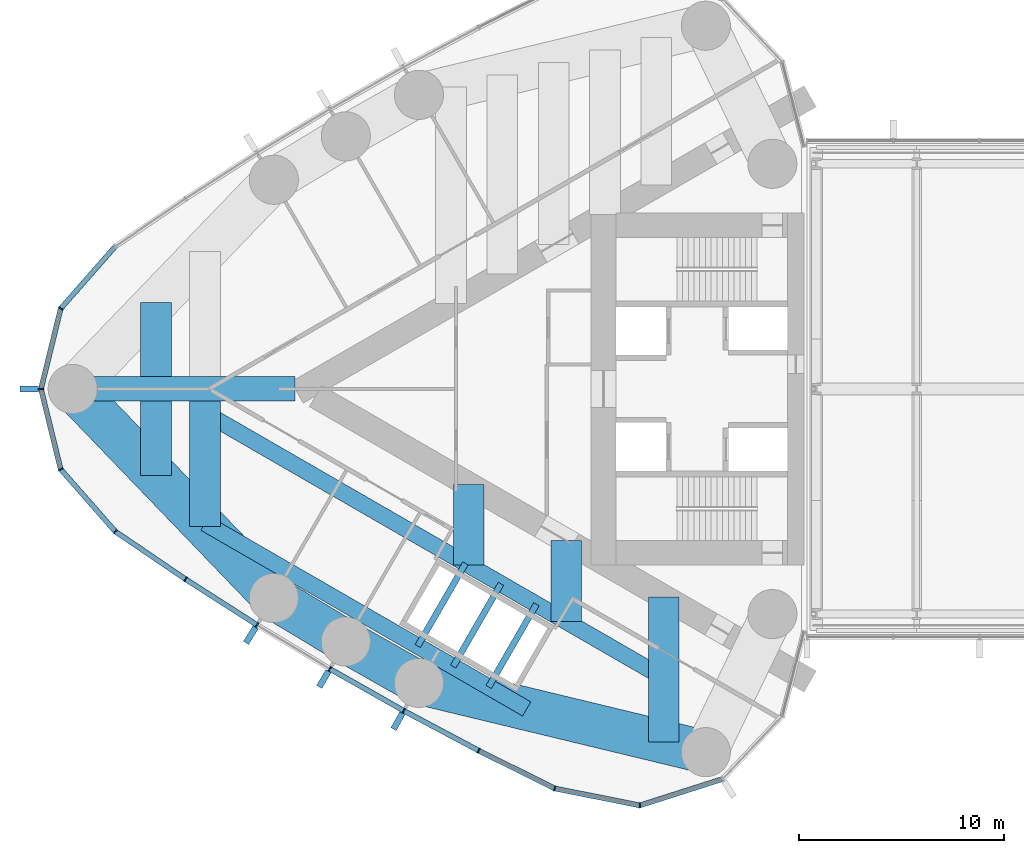
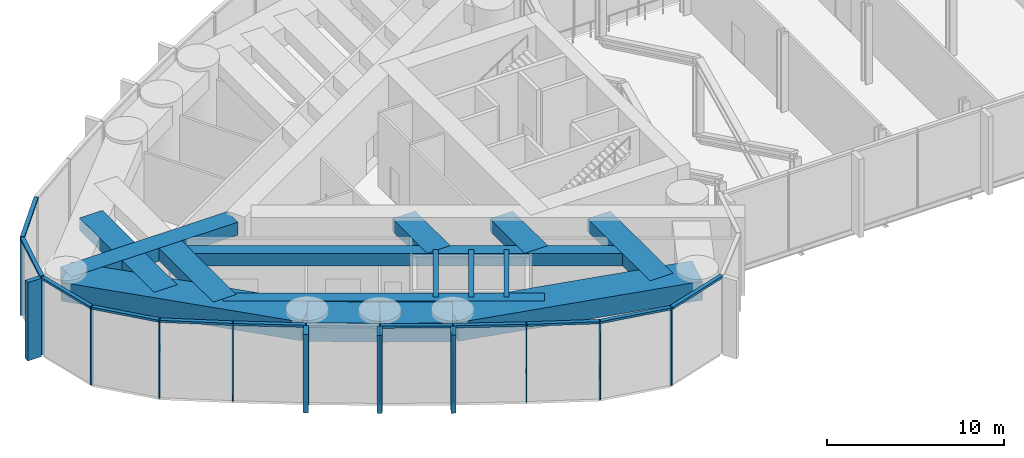
# One storey, part 3 of 21: 26 members, 16 beams, 1 element without a shape of its own.
"""IFC4 building model written with IfcOpenShell, lengths in metres."""

from ifc_helpers import new_model, si_unit, direction, frame, origin, origin_2d, place, context, subcontext, project, spatial, rectangle, hollow_rectangle, i_section, extrude, material, material_profile, profile_set, type_object, element, aggregate, save


model = new_model("IFC4")

# Units and contexts
model_context = context("Model", 3, precision=1e-05, world=origin(), true_north=direction((0.0, 1.0)))
body_context = subcontext(model_context, "Body", "Model", "MODEL_VIEW")
ifc_project = project(units=[si_unit("LENGTHUNIT", "METRE"), si_unit("AREAUNIT", "SQUARE_METRE"), si_unit("VOLUMEUNIT", "CUBIC_METRE"), si_unit("PLANEANGLEUNIT", "RADIAN"), si_unit("MASSUNIT", "GRAM", prefix="KILO")], contexts=[model_context])

# Site, building, storey
site_placement = place(None, origin())
site = spatial("IfcSite", under=ifc_project, at=site_placement, CompositionType="ELEMENT")
building_placement = place(site_placement, origin())
building = spatial("IfcBuilding", under=site, at=building_placement, Name="Lancet Gate Hotel", CompositionType="ELEMENT")
storey_placement = place(building_placement, frame((0.0, 0.0, 251.89990234375)))
storey = spatial("IfcBuildingStorey", under=building, at=storey_placement, Name="L67", CompositionType="ELEMENT", Elevation=251.89990234375)

# Curtain wall, members
ifc_material_1 = material(Name="Aluminium curtain wall", Category="aluminium")
curtain_wall_type = type_object("IfcCurtainWallType", Name="Sky deck full-height glazing", PredefinedType="USERDEFINED", material=ifc_material_1)
curtain_wall_placement = place(storey_placement, origin())
curtain_wall = element("IfcCurtainWall", 1, at=curtain_wall_placement, inside=storey, type_object=curtain_wall_type, Name="T1 L67 curtain wall 1", ObjectType="UNITISED CURTAIN WALL", PredefinedType="USERDEFINED")
ifc_material_2 = material(Name="Aluminium mullion", Category="aluminium")
ifc_material_profile_1 = material_profile(ifc_material_2, rectangle(XDim=0.06494140625, YDim=0.25, at=origin_2d()), Name="MULLION 65x250")
ifc_profile_set_1 = profile_set([ifc_material_profile_1], Name="Aluminium mullion")
member_type_1 = type_object("IfcMemberType", Name="Aluminium mullion 65x250", PredefinedType="MULLION", material=ifc_profile_set_1)
member_1_placement = place(storey_placement, frame((-63.822021484375, 3.928466796875, 0.0), z_axis=(0.0, 0.0, 1.0), x_axis=(-0.46217799743, -0.886787177789, 0.0)))
member_1 = element("IfcMember", 2, at=member_1_placement, type_object=member_type_1, Name="T1 L67 curtain wall 1 mullion 12", PredefinedType="MULLION", context=body_context, shape_type="SweptSolid", body=[
    extrude(rectangle(XDim=0.06494140625, YDim=0.25, at=origin_2d()), origin(), (0.0, 0.0, 1.0), 5.400146484375),
])
member_2_placement = place(storey_placement, frame((-64.7841796875, 0.0, 0.0), z_axis=(0.0, 0.0, 1.0), x_axis=(0.0, -1.0, 0.0)))
member_2 = element("IfcMember", 3, at=member_2_placement, type_object=member_type_1, Name="T1 L67 curtain wall 1 mullion 13", PredefinedType="MULLION", context=body_context, shape_type="SweptSolid", body=[
    extrude(rectangle(XDim=0.06494140625, YDim=0.25, at=origin_2d()), origin(), (0.0, 0.0, 1.0), 5.400146484375),
])
member_3_placement = place(storey_placement, frame((-63.822021484375, -3.928466796875, 0.0), z_axis=(0.0, 0.0, 1.0), x_axis=(0.46217799743, -0.886787177789, 0.0)))
member_3 = element("IfcMember", 4, at=member_3_placement, type_object=member_type_1, Name="T1 L67 curtain wall 1 mullion 14", PredefinedType="MULLION", context=body_context, shape_type="SweptSolid", body=[
    extrude(rectangle(XDim=0.06494140625, YDim=0.25, at=origin_2d()), origin(), (0.0, 0.0, 1.0), 5.400146484375),
])
member_4_placement = place(storey_placement, frame((-61.15283203125, -6.967529296875, 0.0), z_axis=(0.0, 0.0, 1.0), x_axis=(0.750715604757, -0.660625522345, 0.0)))
member_4 = element("IfcMember", 5, at=member_4_placement, type_object=member_type_1, Name="T1 L67 curtain wall 1 mullion 15", PredefinedType="MULLION", context=body_context, shape_type="SweptSolid", body=[
    extrude(rectangle(XDim=0.06494140625, YDim=0.25, at=origin_2d()), origin(), (0.0, 0.0, 1.0), 5.400146484375),
])
member_5_placement = place(storey_placement, frame((-57.72021484375, -9.298095703125, 0.0), z_axis=(0.0, 0.0, 1.0), x_axis=(0.834827178542, -0.550512108829, 0.0)))
member_5 = element("IfcMember", 6, at=member_5_placement, type_object=member_type_1, Name="T1 L67 curtain wall 1 mullion 16", PredefinedType="MULLION", context=body_context, shape_type="SweptSolid", body=[
    extrude(rectangle(XDim=0.06494140625, YDim=0.25, at=origin_2d()), origin(), (0.0, 0.0, 1.0), 5.400146484375),
])
member_6_placement = place(storey_placement, frame((-54.225830078125, -11.535400390625, 0.0), z_axis=(0.0, 0.0, 1.0), x_axis=(0.849342388216, -0.527842313176, 0.0)))
member_6 = element("IfcMember", 7, at=member_6_placement, type_object=member_type_1, Name="T1 L67 curtain wall 1 mullion 17", PredefinedType="MULLION", context=body_context, shape_type="SweptSolid", body=[
    extrude(rectangle(XDim=0.06494140625, YDim=0.25, at=origin_2d()), origin(), (0.0, 0.0, 1.0), 5.400146484375),
])
member_7_placement = place(storey_placement, frame((-50.67236328125, -13.677978515625, 0.0), z_axis=(0.0, 0.0, 1.0), x_axis=(0.863242155108, -0.504790037189, 0.0)))
member_7 = element("IfcMember", 8, at=member_7_placement, type_object=member_type_1, Name="T1 L67 curtain wall 1 mullion 18", PredefinedType="MULLION", context=body_context, shape_type="SweptSolid", body=[
    extrude(rectangle(XDim=0.06494140625, YDim=0.25, at=origin_2d()), origin(), (0.0, 0.0, 1.0), 5.400146484375),
])
member_8_placement = place(storey_placement, frame((-47.062744140625, -15.72412109375, 0.0), z_axis=(0.0, 0.0, 1.0), x_axis=(0.876516407283, -0.481371984815, 0.0)))
member_8 = element("IfcMember", 9, at=member_8_placement, type_object=member_type_1, Name="T1 L67 curtain wall 1 mullion 19", PredefinedType="MULLION", context=body_context, shape_type="SweptSolid", body=[
    extrude(rectangle(XDim=0.06494140625, YDim=0.25, at=origin_2d()), origin(), (0.0, 0.0, 1.0), 5.400146484375),
])
member_9_placement = place(storey_placement, frame((-43.3994140625, -17.67236328125, 0.0), z_axis=(0.0, 0.0, 1.0), x_axis=(0.889155526065, -0.457605125046, 0.0)))
member_9 = element("IfcMember", 10, at=member_9_placement, type_object=member_type_1, Name="T1 L67 curtain wall 1 mullion 20", PredefinedType="MULLION", context=body_context, shape_type="SweptSolid", body=[
    extrude(rectangle(XDim=0.06494140625, YDim=0.25, at=origin_2d()), origin(), (0.0, 0.0, 1.0), 5.400146484375),
])
member_10_placement = place(storey_placement, frame((-39.684814453125, -19.521240234375, 0.0), z_axis=(0.0, 0.0, 1.0), x_axis=(0.946887706423, -0.321564412561, 0.0)))
member_10 = element("IfcMember", 11, at=member_10_placement, type_object=member_type_1, Name="T1 L67 curtain wall 1 mullion 21", PredefinedType="MULLION", context=body_context, shape_type="SweptSolid", body=[
    extrude(rectangle(XDim=0.06494140625, YDim=0.25, at=origin_2d()), origin(), (0.0, 0.0, 1.0), 5.400146484375),
])
member_11_placement = place(storey_placement, frame((-35.520751953125, -20.347900390625, 0.0), z_axis=(0.0, 0.0, 1.0), x_axis=(0.998409168318, 0.056383797491, 0.0)))
member_11 = element("IfcMember", 12, at=member_11_placement, type_object=member_type_1, Name="T1 L67 curtain wall 1 mullion 22", PredefinedType="MULLION", context=body_context, shape_type="SweptSolid", body=[
    extrude(rectangle(XDim=0.06494140625, YDim=0.25, at=origin_2d()), origin(), (0.0, 0.0, 1.0), 5.400146484375),
])
ifc_material_3 = material(Name="Aluminium transom", Category="aluminium")
ifc_material_profile_2 = material_profile(ifc_material_3, rectangle(XDim=0.25, YDim=0.14990234375, at=origin_2d()), Name="TRANSOM 250x150")
ifc_profile_set_2 = profile_set([ifc_material_profile_2], Name="Aluminium transom")
member_type_2 = type_object("IfcMemberType", Name="Aluminium transom 250x150", PredefinedType="USERDEFINED", material=ifc_profile_set_2)
member_12_placement = place(storey_placement, frame((-61.17431640625, 6.943115234375, 5.3251953125), z_axis=(-0.659893258593, -0.751359359603, 0.0), x_axis=(0.751359359603, -0.659893258593, 0.0)))
member_12 = element("IfcMember", 13, at=member_12_placement, type_object=member_type_2, Name="T1 L67 curtain wall 1 transom 11", ObjectType="TRANSOM", PredefinedType="USERDEFINED", context=body_context, shape_type="SweptSolid", body=[
    extrude(rectangle(XDim=0.25, YDim=0.14990234375, at=origin_2d()), origin(), (0.0, 0.0, 1.0), 3.979736328125),
])
member_13_placement = place(storey_placement, frame((-63.829833984375, 3.89697265625, 5.3251953125), z_axis=(-0.237899438372, -0.971289790548, 0.0), x_axis=(0.971289790548, -0.237899438372, 0.0)))
member_13 = element("IfcMember", 14, at=member_13_placement, type_object=member_type_2, Name="T1 L67 curtain wall 1 transom 12", ObjectType="TRANSOM", PredefinedType="USERDEFINED", context=body_context, shape_type="SweptSolid", body=[
    extrude(rectangle(XDim=0.25, YDim=0.14990234375, at=origin_2d()), origin(), (0.0, 0.0, 1.0), 3.979736328125),
])
member_14_placement = place(storey_placement, frame((-64.776611328125, -0.031494140625, 5.3251953125), z_axis=(0.237899438372, -0.971289790548, 0.0), x_axis=(0.971289790548, 0.237899438372, 0.0)))
member_14 = element("IfcMember", 15, at=member_14_placement, type_object=member_type_2, Name="T1 L67 curtain wall 1 transom 13", ObjectType="TRANSOM", PredefinedType="USERDEFINED", context=body_context, shape_type="SweptSolid", body=[
    extrude(rectangle(XDim=0.25, YDim=0.14990234375, at=origin_2d()), origin(), (0.0, 0.0, 1.0), 3.979736328125),
])
member_15_placement = place(storey_placement, frame((-63.800537109375, -3.952880859375, 5.3251953125), z_axis=(0.659893258593, -0.751359359603, 0.0), x_axis=(0.751359359603, 0.659893258593, 0.0)))
member_15 = element("IfcMember", 16, at=member_15_placement, type_object=member_type_2, Name="T1 L67 curtain wall 1 transom 14", ObjectType="TRANSOM", PredefinedType="USERDEFINED", context=body_context, shape_type="SweptSolid", body=[
    extrude(rectangle(XDim=0.25, YDim=0.14990234375, at=origin_2d()), origin(), (0.0, 0.0, 1.0), 3.979736328125),
])
member_16_placement = place(storey_placement, frame((-61.1259765625, -6.98583984375, 5.3251953125), z_axis=(0.827348780456, -0.561688521761, 0.0), x_axis=(0.561688521761, 0.827348780456, 0.0)))
member_16 = element("IfcMember", 17, at=member_16_placement, type_object=member_type_2, Name="T1 L67 curtain wall 1 transom 15", ObjectType="TRANSOM", PredefinedType="USERDEFINED", context=body_context, shape_type="SweptSolid", body=[
    extrude(rectangle(XDim=0.25, YDim=0.14990234375, at=origin_2d()), origin(), (0.0, 0.0, 1.0), 4.083984375),
])
member_17_placement = place(storey_placement, frame((-57.692626953125, -9.315673828125, 5.3251953125), z_axis=(0.842144358733, -0.539252147937, 0.0), x_axis=(0.539252147937, 0.842144358733, 0.0)))
member_17 = element("IfcMember", 18, at=member_17_placement, type_object=member_type_2, Name="T1 L67 curtain wall 1 transom 16", ObjectType="TRANSOM", PredefinedType="USERDEFINED", context=body_context, shape_type="SweptSolid", body=[
    extrude(rectangle(XDim=0.25, YDim=0.14990234375, at=origin_2d()), origin(), (0.0, 0.0, 1.0), 4.084228515625),
])
member_18_placement = place(storey_placement, frame((-50.644287109375, -13.694091796875, 5.3251953125), z_axis=(0.869977740049, -0.493090997503, 0.0), x_axis=(0.493090997503, 0.869977740049, 0.0)))
member_18 = element("IfcMember", 19, at=member_18_placement, type_object=member_type_2, Name="T1 L67 curtain wall 1 transom 18", ObjectType="TRANSOM", PredefinedType="USERDEFINED", context=body_context, shape_type="SweptSolid", body=[
    extrude(rectangle(XDim=0.25, YDim=0.14990234375, at=origin_2d()), origin(), (0.0, 0.0, 1.0), 4.084228515625),
])
member_19_placement = place(storey_placement, frame((-47.0341796875, -15.739501953125, 5.3251953125), z_axis=(0.882944619844, -0.469477154171, 0.0), x_axis=(0.469477154171, 0.882944619844, 0.0)))
member_19 = element("IfcMember", 20, at=member_19_placement, type_object=member_type_2, Name="T1 L67 curtain wall 1 transom 19", ObjectType="TRANSOM", PredefinedType="USERDEFINED", context=body_context, shape_type="SweptSolid", body=[
    extrude(rectangle(XDim=0.25, YDim=0.14990234375, at=origin_2d()), origin(), (0.0, 0.0, 1.0), 4.084228515625),
])
member_20_placement = place(storey_placement, frame((-43.370361328125, -17.686767578125, 5.3251953125), z_axis=(0.895226720479, -0.445610950202, 0.0), x_axis=(0.445610950202, 0.895226720479, 0.0)))
member_20 = element("IfcMember", 21, at=member_20_placement, type_object=member_type_2, Name="T1 L67 curtain wall 1 transom 20", ObjectType="TRANSOM", PredefinedType="USERDEFINED", context=body_context, shape_type="SweptSolid", body=[
    extrude(rectangle(XDim=0.25, YDim=0.14990234375, at=origin_2d()), origin(), (0.0, 0.0, 1.0), 4.08447265625),
])
member_21_placement = place(storey_placement, frame((-39.65283203125, -19.527587890625, 5.3251953125), z_axis=(0.980858234867, -0.194723196085, 0.0), x_axis=(0.194723196085, 0.980858234867, 0.0)))
member_21 = element("IfcMember", 22, at=member_21_placement, type_object=member_type_2, Name="T1 L67 curtain wall 1 transom 21", ObjectType="TRANSOM", PredefinedType="USERDEFINED", context=body_context, shape_type="SweptSolid", body=[
    extrude(rectangle(XDim=0.25, YDim=0.14990234375, at=origin_2d()), origin(), (0.0, 0.0, 1.0), 4.18017578125),
])
member_22_placement = place(storey_placement, frame((-35.48974609375, -20.338134765625, 5.3251953125), z_axis=(0.952697713775, 0.303919506068, 0.0), x_axis=(-0.303919506068, 0.952697713775, 0.0)))
member_22 = element("IfcMember", 23, at=member_22_placement, type_object=member_type_2, Name="T1 L67 curtain wall 1 transom 22", ObjectType="TRANSOM", PredefinedType="USERDEFINED", context=body_context, shape_type="SweptSolid", body=[
    extrude(rectangle(XDim=0.25, YDim=0.14990234375, at=origin_2d()), origin(), (0.0, 0.0, 1.0), 4.180419921875),
])

# Beams
ifc_material_4 = material(Name="Concrete C50/60", Category="concrete")
ifc_material_profile_3 = material_profile(ifc_material_4, rectangle(XDim=2.10009765625, YDim=1.300048828125, at=origin_2d()), Name="RC 2100x1300")
ifc_profile_set_3 = profile_set([ifc_material_profile_3], Name="Concrete C50/60")
beam_type_1 = type_object("IfcBeamType", Name="Edge beam RC 2100x1300", PredefinedType="SPANDREL", material=ifc_profile_set_3)
beam_1_placement = place(storey_placement, frame((-63.234375, 0.0, 4.5), z_axis=(0.693134527053, -0.720808245934, 0.0), x_axis=(0.720808245934, 0.693134527053, 0.0)))
element("IfcBeam", 24, at=beam_1_placement, inside=storey, type_object=beam_type_1, Name="T1 edge beam EB1 L67", PredefinedType="SPANDREL", context=body_context, shape_type="SweptSolid", body=[
    extrude(rectangle(XDim=2.10009765625, YDim=1.300048828125, at=origin_2d()), origin(), (0.0, 0.0, 1.0), 14.17724609375),
])
for number, where, z_axis, x_axis, name in (
    (25, (-53.40771484375, -10.218994140625, 4.5), (0.856358061538, -0.516382484636, 0.0), (0.516382484636, 0.856358061538, 0.0), "T1 edge beam EB1 L67"),
    (26, (-49.89013671875, -12.340087890625, 4.5), (0.869978841992, -0.493089053301, 0.0), (0.493089053301, 0.869978841992, 0.0), "T1 edge beam EB1 L67"),
):
    element("IfcBeam", number, at=place(storey_placement, frame(where, z_axis=z_axis, x_axis=x_axis)), inside=storey, type_object=beam_type_1, Name=name, PredefinedType="SPANDREL", context=body_context, shape_type="SweptSolid", body=[
        extrude(rectangle(XDim=2.10009765625, YDim=1.300048828125, at=origin_2d()), origin(), (0.0, 0.0, 1.0), 4.107666015625),
    ])
beam_2_placement = place(storey_placement, frame((-46.316650390625, -14.365478515625, 4.5), z_axis=(0.972132796948, -0.234430853556, 0.0), x_axis=(0.234430853556, 0.972132796948, 0.0)))
element("IfcBeam", 27, at=beam_2_placement, inside=storey, type_object=beam_type_1, Name="T1 edge beam EB1 L67", PredefinedType="SPANDREL", context=body_context, shape_type="SweptSolid", body=[
    extrude(rectangle(XDim=2.10009765625, YDim=1.300048828125, at=origin_2d()), origin(), (0.0, 0.0, 1.0), 14.41748046875),
])

# Member
ifc_material_5 = material(Name="Precast concrete C50/60", Category="concrete")
ifc_material_profile_4 = material_profile(ifc_material_5, rectangle(XDim=0.300048828125, YDim=0.89990234375, at=origin_2d()), Name="FIN 300x900")
ifc_profile_set_4 = profile_set([ifc_material_profile_4], Name="Precast concrete C50/60")
member_type_3 = type_object("IfcMemberType", Name="Exposed concrete fin 300x900", PredefinedType="USERDEFINED", material=ifc_profile_set_4)
member_23_placement = place(storey_placement, frame((-65.359375, 0.0, 0.0), z_axis=(0.0, 0.0, 1.0), x_axis=(0.0, -1.0, 0.0)))
member_23 = element("IfcMember", 28, at=member_23_placement, type_object=member_type_3, Name="T1 L67 curtain wall 1 fin 13", ObjectType="FIN", PredefinedType="USERDEFINED", context=body_context, shape_type="SweptSolid", body=[
    extrude(rectangle(XDim=0.300048828125, YDim=0.89990234375, at=origin_2d()), origin(), (0.0, 0.0, 1.0), 5.400146484375),
])

member_24_placement = place(storey_placement, frame((-54.529296875, -12.02392578125, 0.0), z_axis=(0.0, 0.0, 1.0), x_axis=(0.849342388216, -0.527842313176, 0.0)))
member_24 = element("IfcMember", 29, at=member_24_placement, type_object=member_type_3, Name="T1 L67 curtain wall 1 fin 17", ObjectType="FIN", PredefinedType="USERDEFINED", context=body_context, shape_type="SweptSolid", body=[
    extrude(rectangle(XDim=0.300048828125, YDim=0.89990234375, at=origin_2d()), origin(), (0.0, 0.0, 1.0), 5.400146484375),
])

member_25_placement = place(storey_placement, frame((-50.962646484375, -14.17431640625, 0.0), z_axis=(0.0, 0.0, 1.0), x_axis=(0.863242155108, -0.504790037189, 0.0)))
member_25 = element("IfcMember", 30, at=member_25_placement, type_object=member_type_3, Name="T1 L67 curtain wall 1 fin 18", ObjectType="FIN", PredefinedType="USERDEFINED", context=body_context, shape_type="SweptSolid", body=[
    extrude(rectangle(XDim=0.300048828125, YDim=0.89990234375, at=origin_2d()), origin(), (0.0, 0.0, 1.0), 5.400146484375),
])

member_26_placement = place(storey_placement, frame((-47.339599609375, -16.22802734375, 0.0), z_axis=(0.0, 0.0, 1.0), x_axis=(0.876516407283, -0.481371984815, 0.0)))
member_26 = element("IfcMember", 31, at=member_26_placement, type_object=member_type_3, Name="T1 L67 curtain wall 1 fin 19", ObjectType="FIN", PredefinedType="USERDEFINED", context=body_context, shape_type="SweptSolid", body=[
    extrude(rectangle(XDim=0.300048828125, YDim=0.89990234375, at=origin_2d()), origin(), (0.0, 0.0, 1.0), 5.400146484375),
])

aggregate(curtain_wall, [member_1, member_2, member_23, member_3, member_4, member_5, member_6, member_24, member_7, member_25, member_8, member_26, member_9, member_10, member_11, member_12, member_13, member_14, member_15, member_16, member_17, member_18, member_19, member_20, member_21, member_22])

# Beams
ifc_material_6 = material(Name="Concrete C50/60", Category="concrete")
ifc_material_profile_5 = material_profile(ifc_material_6, rectangle(XDim=1.5, YDim=0.85009765625, at=origin_2d()), Name="RC 1500x850")
ifc_profile_set_5 = profile_set([ifc_material_profile_5], Name="Concrete C50/60")
beam_type_2 = type_object("IfcBeamType", Name="Floor beam RC 1500x850", PredefinedType="BEAM", material=ifc_profile_set_5)
beam_3_placement = place(storey_placement, frame((-34.353515625, -10.169921875, 4.72509765625), z_axis=(0.0, -1.0, 0.0), x_axis=(1.0, 0.0, 0.0)))
element("IfcBeam", 32, at=beam_3_placement, inside=storey, type_object=beam_type_2, Name="T1 floor beam F01N L67", PredefinedType="BEAM", context=body_context, shape_type="SweptSolid", body=[
    extrude(rectangle(XDim=1.5, YDim=0.85009765625, at=origin_2d()), origin(), (0.0, 0.0, 1.0), 7.08056640625),
])
beam_4_placement = place(storey_placement, frame((-56.768310546875, -0.60009765625, 4.72509765625), z_axis=(0.0, -1.0, 0.0), x_axis=(1.0, 0.0, 0.0)))
element("IfcBeam", 33, at=beam_4_placement, inside=storey, type_object=beam_type_2, Name="T1 floor beam F10N L67", PredefinedType="BEAM", context=body_context, shape_type="SweptSolid", body=[
    extrude(rectangle(XDim=1.5, YDim=0.85009765625, at=origin_2d()), origin(), (0.0, 0.0, 1.0), 6.1240234375),
])
for number, where, z_axis, x_axis, name in (
    (34, (-59.168212890625, 4.228271484375, 4.72509765625), (0.0, -1.0, 0.0), (1.0, 0.0, 0.0), "T1 floor beam F11S L67"),
    (35, (-59.168212890625, -0.60009765625, 4.72509765625), (0.0, -1.0, 0.0), (1.0, 0.0, 0.0), "T1 floor beam F12N L67"),
):
    element("IfcBeam", number, at=place(storey_placement, frame(where, z_axis=z_axis, x_axis=x_axis)), inside=storey, type_object=beam_type_2, Name=name, PredefinedType="BEAM", context=body_context, shape_type="SweptSolid", body=[
        extrude(rectangle(XDim=1.5, YDim=0.85009765625, at=origin_2d()), origin(), (0.0, 0.0, 1.0), 3.628173828125),
    ])
for number, where, z_axis, x_axis, name in (
    (36, (-39.122314453125, -7.41650390625, 4.72509765625), (0.0, -1.0, 0.0), (1.0, 0.0, 0.0), "T1 floor beam F04NA L67"),
    (37, (-43.891357421875, -4.663330078125, 4.72509765625), (0.0, -1.0, 0.0), (1.0, 0.0, 0.0), "T1 floor beam F07NA L67"),
):
    element("IfcBeam", number, at=place(storey_placement, frame(where, z_axis=z_axis, x_axis=x_axis)), inside=storey, type_object=beam_type_2, Name=name, PredefinedType="BEAM", context=body_context, shape_type="SweptSolid", body=[
        extrude(rectangle(XDim=1.5, YDim=0.85009765625, at=origin_2d()), origin(), (0.0, 0.0, 1.0), 3.945556640625),
    ])
ifc_material_7 = material(Name="Steel S355", Category="steel")
ifc_material_profile_6 = material_profile(ifc_material_7, i_section(OverallWidth=0.3046875, OverallDepth=0.6123046875, WebThickness=0.01171875, FlangeThickness=0.019775390625, FilletRadius=0.0166015625, at=origin_2d()), Name="UKB 610x305x149")
ifc_profile_set_6 = profile_set([ifc_material_profile_6], Name="Steel S355")
beam_type_3 = type_object("IfcBeamType", Name="Lift lifting beam UKB 610x305x149", PredefinedType="BEAM", material=ifc_profile_set_6)
for number, where, z_axis, x_axis, name in (
    (38, (-40.57958984375, -10.520751953125, 4.843994140625), (-0.499870422542, -0.866100202441, 0.0), (0.866100202441, -0.499870422542, 0.0), "T1 lifting beam HL1"),
    (39, (-42.3115234375, -9.52099609375, 4.843994140625), (-0.499932327656, -0.866064470905, 0.0), (0.866064470905, -0.499932327656, 0.0), "T1 lifting beam HL2"),
    (40, (-44.043701171875, -8.52099609375, 4.843994140625), (-0.499932327656, -0.866064470905, 0.0), (0.866064470905, -0.499932327656, 0.0), "T1 lifting beam HL3"),
):
    element("IfcBeam", number, at=place(storey_placement, frame(where, z_axis=z_axis, x_axis=x_axis)), inside=storey, type_object=beam_type_3, Name=name, PredefinedType="BEAM", context=body_context, shape_type="SweptSolid", body=[
        extrude(i_section(OverallWidth=0.3046875, OverallDepth=0.6123046875, WebThickness=0.01171875, FlangeThickness=0.019775390625, FilletRadius=0.0166015625, at=origin_2d()), origin(), (0.0, 0.0, 1.0), 4.665771484375),
    ])
ifc_material_8 = material(Name="Concrete C50/60", Category="concrete")
ifc_material_profile_7 = material_profile(ifc_material_8, rectangle(XDim=1.199951171875, YDim=0.89990234375, at=origin_2d()), Name="RC 1200x900")
ifc_profile_set_7 = profile_set([ifc_material_profile_7], Name="Concrete C50/60")
beam_type_4 = type_object("IfcBeamType", Name="Radial floor beam RC 1200x900", PredefinedType="BEAM", material=ifc_profile_set_7)
beam_5_placement = place(storey_placement, frame((-63.234375, 0.0, 4.7001953125), z_axis=(1.0, 0.0, 0.0), x_axis=(0.0, 1.0, 0.0)))
element("IfcBeam", 41, at=beam_5_placement, inside=storey, type_object=beam_type_4, Name="T1 radial beam CA L67", PredefinedType="BEAM", context=body_context, shape_type="SweptSolid", body=[
    extrude(rectangle(XDim=1.199951171875, YDim=0.89990234375, at=origin_2d()), origin(), (0.0, 0.0, 1.0), 10.8662109375),
])
ifc_material_9 = material(Name="Steel S460QL", Category="steel")
ifc_material_profile_8 = material_profile(ifc_material_9, hollow_rectangle(XDim=0.800048828125, YDim=0.85009765625, WallThickness=0.080078125, at=origin_2d()), Name="BOX 850x800x80")
ifc_profile_set_8 = profile_set([ifc_material_profile_8], Name="Steel S460QL")
beam_type_5 = type_object("IfcBeamType", Name="Trimmer beam BOX 850x800x80", PredefinedType="BEAM", material=ifc_profile_set_8)
beam_6_placement = place(storey_placement, frame((-34.353515625, -14.115234375, 4.72509765625), z_axis=(-0.866038088301, 0.499978029129, 0.0), x_axis=(-0.499978029129, -0.866038088301, 0.0)))
element("IfcBeam", 42, at=beam_6_placement, inside=storey, type_object=beam_type_5, Name="T1 trimmer beam TR01N L67", PredefinedType="BEAM", context=body_context, shape_type="SweptSolid", body=[
    extrude(hollow_rectangle(XDim=0.800048828125, YDim=0.85009765625, WallThickness=0.080078125, at=origin_2d()), origin(), (0.0, 0.0, 1.0), 25.882080078125),
])
beam_7_placement = place(storey_placement, frame((-41.05322265625, -15.634765625, 4.72509765625), z_axis=(-0.866039732055, 0.499975181887, 0.0), x_axis=(-0.499975181887, -0.866039732055, 0.0)))
element("IfcBeam", 43, at=beam_7_placement, inside=storey, type_object=beam_type_5, Name="T1 trimmer beam TR02N L67", PredefinedType="BEAM", context=body_context, shape_type="SweptSolid", body=[
    extrude(hollow_rectangle(XDim=0.800048828125, YDim=0.85009765625, WallThickness=0.080078125, at=origin_2d()), origin(), (0.0, 0.0, 1.0), 18.14599609375),
])

save(model, "model.ifc")
